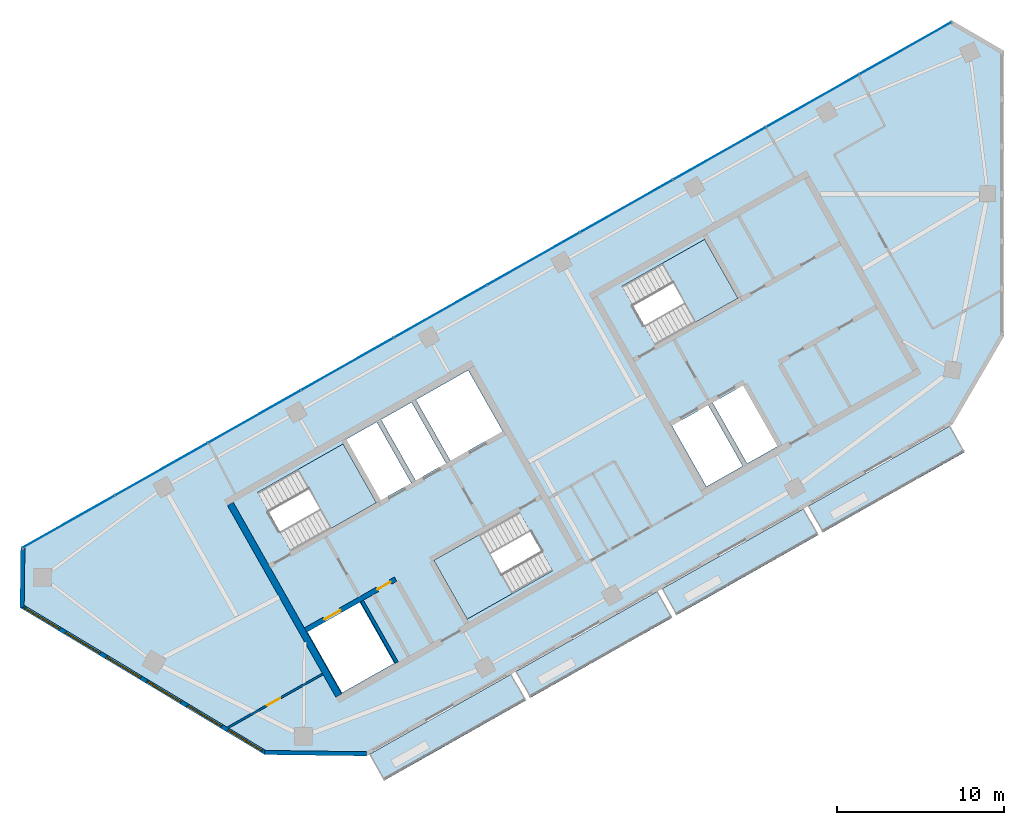
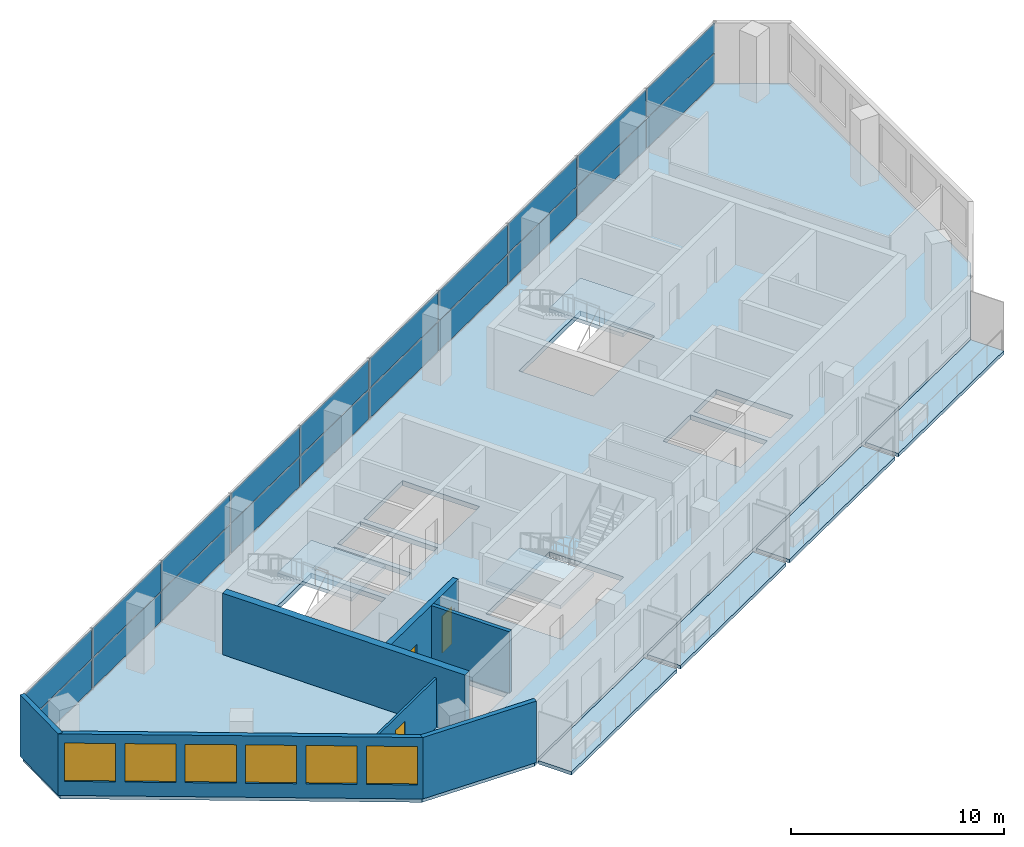
# One storey, part 5 of 10: 20 plates, 8 slabs, 7 walls, 6 windows, 3 doors, 9 openings, 4 elements without a shape of their own.
"""IFC4 building model written with IfcOpenShell, lengths in metres."""

from ifc_helpers import new_model, si_unit, direction, frame, frame_2d, origin, origin_2d, place, context, subcontext, project, spatial, polyline, rectangle, outline, extrude, material, layer, layer_set, type_object, element, fill, aggregate, save


model = new_model("IFC4")

# Units and contexts
model_context = context("Model", 3, precision=1e-05, world=origin(), true_north=direction((0.0, 1.0)))
body_context = subcontext(model_context, "Body", "Model", "MODEL_VIEW")
ifc_project = project(units=[si_unit("LENGTHUNIT", "METRE"), si_unit("AREAUNIT", "SQUARE_METRE"), si_unit("VOLUMEUNIT", "CUBIC_METRE"), si_unit("PLANEANGLEUNIT", "RADIAN"), si_unit("MASSUNIT", "GRAM", prefix="KILO")], contexts=[model_context])

# Site, building, storey
site_placement = place(None, origin())
site = spatial("IfcSite", under=ifc_project, at=site_placement, CompositionType="ELEMENT")
building_placement = place(site_placement, origin())
building = spatial("IfcBuilding", under=site, at=building_placement, Name="Binnacle Exchange Tower", CompositionType="ELEMENT")
storey_placement = place(building_placement, frame((0.0, 0.0, 320.300048828125)))
storey = spatial("IfcBuildingStorey", under=building, at=storey_placement, Name="L72", CompositionType="ELEMENT", Elevation=320.300048828125)

# Slabs
ifc_material_1 = material(Name="Concrete C35/45", Category="concrete")
ifc_layer_1 = layer(ifc_material_1, 0.199951171875)
ifc_layer_set_1 = layer_set([ifc_layer_1], Name="BALCONY SLAB 200")
slab_type_1 = type_object("IfcSlabType", Name="BALCONY SLAB 200", PredefinedType="FLOOR", material=ifc_layer_set_1)
slab_1_placement = place(storey_placement, frame((0.0, 0.0, -0.199951171875)))
element("IfcSlab", 1, at=slab_1_placement, inside=storey, type_object=slab_type_1, Name="Balcony BA-H07-00 L72", PredefinedType="FLOOR", context=body_context, shape_type="SweptSolid", body=[
    extrude(outline(polyline([(-37.90576171875, 26.410400390625), (-29.40380859375, 31.220458984375), (-28.517578125, 29.65380859375), (-37.019287109375, 24.84375), (-37.90576171875, 26.410400390625)])), origin(), (0.0, 0.0, 1.0), 0.199951171875),
])
slab_2_placement = place(storey_placement, frame((0.0, 0.0, -0.199951171875)))
element("IfcSlab", 2, at=slab_2_placement, inside=storey, type_object=slab_type_1, Name="Balcony BA-H07-01 L72", PredefinedType="FLOOR", context=body_context, shape_type="SweptSolid", body=[
    extrude(outline(polyline([(-29.142822265625, 31.3681640625), (-20.64111328125, 36.17822265625), (-19.754638671875, 34.611572265625), (-28.25634765625, 29.801513671875), (-29.142822265625, 31.3681640625)])), origin(), (0.0, 0.0, 1.0), 0.199951171875),
])
slab_3_placement = place(storey_placement, frame((0.0, 0.0, -0.199951171875)))
element("IfcSlab", 3, at=slab_3_placement, inside=storey, type_object=slab_type_1, Name="Balcony BA-H07-02 L72", PredefinedType="FLOOR", context=body_context, shape_type="SweptSolid", body=[
    extrude(outline(polyline([(-20.3798828125, 36.325927734375), (-11.878173828125, 41.135986328125), (-10.99169921875, 39.5693359375), (-19.493408203125, 34.759521484375), (-20.3798828125, 36.325927734375)])), origin(), (0.0, 0.0, 1.0), 0.199951171875),
])
slab_4_placement = place(storey_placement, frame((0.0, 0.0, -0.199951171875)))
element("IfcSlab", 4, at=slab_4_placement, inside=storey, type_object=slab_type_1, Name="Balcony BA-H07-03 L72", PredefinedType="FLOOR", context=body_context, shape_type="SweptSolid", body=[
    extrude(outline(polyline([(-11.616943359375, 41.28369140625), (-3.115234375, 46.093994140625), (-2.22900390625, 44.527099609375), (-10.730712890625, 39.717041015625), (-11.616943359375, 41.28369140625)])), origin(), (0.0, 0.0, 1.0), 0.199951171875),
])

# Curtain wall, plates
ifc_material_2 = material(Name="Bronze anodised aluminium frame", Category="aluminium")
curtain_wall_type = type_object("IfcCurtainWallType", Name="External wall - curtain wall executive floors", PredefinedType="NOTDEFINED", material=ifc_material_2)
curtain_wall_placement = place(storey_placement, origin())
curtain_wall = element("IfcCurtainWall", 5, at=curtain_wall_placement, inside=storey, type_object=curtain_wall_type, Name="External wall curtain wall CW4-H03 L72", PredefinedType="NOTDEFINED")
ifc_material_3 = material(Name="Glass", Category="glass")
ifc_layer_2 = layer(ifc_material_3, 0.031982421875)
ifc_layer_set_2 = layer_set([ifc_layer_2], Name="CW4 GLASS PANEL 32")
plate_type = type_object("IfcPlateType", Name="CW4 GLASS PANEL 32", PredefinedType="CURTAIN_PANEL", material=ifc_layer_set_2)
plate_1_placement = place(storey_placement, frame((-5.786376953125, 68.72607421875, 0.0498046875), z_axis=(0.0, 0.0, 1.0), x_axis=(-0.870355581136, -0.492423763019, 0.0)))
plate_1 = element("IfcPlate", 6, at=plate_1_placement, type_object=plate_type, Name="CW4-H03 panel 1.1", PredefinedType="CURTAIN_PANEL", context=body_context, shape_type="SweptSolid", body=[
    extrude(rectangle(XDim=6.30029296875, YDim=0.031982421875, at=origin_2d()), origin(), (0.0, 0.0, 1.0), 1.68505859375),
])
plate_2_placement = place(storey_placement, frame((-5.786376953125, 68.72607421875, 1.784912109375), z_axis=(0.0, 0.0, 1.0), x_axis=(-0.870355581136, -0.492423763019, 0.0)))
plate_2 = element("IfcPlate", 7, at=plate_2_placement, type_object=plate_type, Name="CW4-H03 panel 1.2", PredefinedType="CURTAIN_PANEL", context=body_context, shape_type="SweptSolid", body=[
    extrude(rectangle(XDim=6.30029296875, YDim=0.031982421875, at=origin_2d()), origin(), (0.0, 0.0, 1.0), 1.68505859375),
])
plate_3_placement = place(storey_placement, frame((-11.345947265625, 65.580810546875, 0.0498046875), z_axis=(0.0, 0.0, 1.0), x_axis=(-0.870355581136, -0.492423763019, 0.0)))
plate_3 = element("IfcPlate", 8, at=plate_3_placement, type_object=plate_type, Name="CW4-H03 panel 2.1", PredefinedType="CURTAIN_PANEL", context=body_context, shape_type="SweptSolid", body=[
    extrude(rectangle(XDim=6.335205078125, YDim=0.031982421875, at=origin_2d()), origin(), (0.0, 0.0, 1.0), 1.68505859375),
])
plate_4_placement = place(storey_placement, frame((-11.345947265625, 65.580810546875, 1.784912109375), z_axis=(0.0, 0.0, 1.0), x_axis=(-0.870355581136, -0.492423763019, 0.0)))
plate_4 = element("IfcPlate", 9, at=plate_4_placement, type_object=plate_type, Name="CW4-H03 panel 2.2", PredefinedType="CURTAIN_PANEL", context=body_context, shape_type="SweptSolid", body=[
    extrude(rectangle(XDim=6.335205078125, YDim=0.031982421875, at=origin_2d()), origin(), (0.0, 0.0, 1.0), 1.68505859375),
])
plate_5_placement = place(storey_placement, frame((-16.9208984375, 62.426513671875, 0.0498046875), z_axis=(0.0, 0.0, 1.0), x_axis=(-0.870355581136, -0.492423763019, 0.0)))
plate_5 = element("IfcPlate", 10, at=plate_5_placement, type_object=plate_type, Name="CW4-H03 panel 3.1", PredefinedType="CURTAIN_PANEL", context=body_context, shape_type="SweptSolid", body=[
    extrude(rectangle(XDim=6.335205078125, YDim=0.031982421875, at=origin_2d()), origin(), (0.0, 0.0, 1.0), 1.68505859375),
])
plate_6_placement = place(storey_placement, frame((-16.9208984375, 62.426513671875, 1.784912109375), z_axis=(0.0, 0.0, 1.0), x_axis=(-0.870355581136, -0.492423763019, 0.0)))
plate_6 = element("IfcPlate", 11, at=plate_6_placement, type_object=plate_type, Name="CW4-H03 panel 3.2", PredefinedType="CURTAIN_PANEL", context=body_context, shape_type="SweptSolid", body=[
    extrude(rectangle(XDim=6.335205078125, YDim=0.031982421875, at=origin_2d()), origin(), (0.0, 0.0, 1.0), 1.68505859375),
])
plate_7_placement = place(storey_placement, frame((-22.49560546875, 59.2724609375, 0.0498046875), z_axis=(0.0, 0.0, 1.0), x_axis=(-0.870355581136, -0.492423763019, 0.0)))
plate_7 = element("IfcPlate", 12, at=plate_7_placement, type_object=plate_type, Name="CW4-H03 panel 4.1", PredefinedType="CURTAIN_PANEL", context=body_context, shape_type="SweptSolid", body=[
    extrude(rectangle(XDim=6.335205078125, YDim=0.031982421875, at=origin_2d()), origin(), (0.0, 0.0, 1.0), 1.68505859375),
])
plate_8_placement = place(storey_placement, frame((-22.49560546875, 59.2724609375, 1.784912109375), z_axis=(0.0, 0.0, 1.0), x_axis=(-0.870355581136, -0.492423763019, 0.0)))
plate_8 = element("IfcPlate", 13, at=plate_8_placement, type_object=plate_type, Name="CW4-H03 panel 4.2", PredefinedType="CURTAIN_PANEL", context=body_context, shape_type="SweptSolid", body=[
    extrude(rectangle(XDim=6.335205078125, YDim=0.031982421875, at=origin_2d()), origin(), (0.0, 0.0, 1.0), 1.68505859375),
])
plate_9_placement = place(storey_placement, frame((-28.070556640625, 56.118408203125, 0.0498046875), z_axis=(0.0, 0.0, 1.0), x_axis=(-0.870355581136, -0.492423763019, 0.0)))
plate_9 = element("IfcPlate", 14, at=plate_9_placement, type_object=plate_type, Name="CW4-H03 panel 5.1", PredefinedType="CURTAIN_PANEL", context=body_context, shape_type="SweptSolid", body=[
    extrude(rectangle(XDim=6.335205078125, YDim=0.031982421875, at=origin_2d()), origin(), (0.0, 0.0, 1.0), 1.68505859375),
])
plate_10_placement = place(storey_placement, frame((-28.070556640625, 56.118408203125, 1.784912109375), z_axis=(0.0, 0.0, 1.0), x_axis=(-0.870355581136, -0.492423763019, 0.0)))
plate_10 = element("IfcPlate", 15, at=plate_10_placement, type_object=plate_type, Name="CW4-H03 panel 5.2", PredefinedType="CURTAIN_PANEL", context=body_context, shape_type="SweptSolid", body=[
    extrude(rectangle(XDim=6.335205078125, YDim=0.031982421875, at=origin_2d()), origin(), (0.0, 0.0, 1.0), 1.68505859375),
])
plate_11_placement = place(storey_placement, frame((-33.6455078125, 52.96435546875, 0.0498046875), z_axis=(0.0, 0.0, 1.0), x_axis=(-0.870355581136, -0.492423763019, 0.0)))
plate_11 = element("IfcPlate", 16, at=plate_11_placement, type_object=plate_type, Name="CW4-H03 panel 6.1", PredefinedType="CURTAIN_PANEL", context=body_context, shape_type="SweptSolid", body=[
    extrude(rectangle(XDim=6.335205078125, YDim=0.031982421875, at=origin_2d()), origin(), (0.0, 0.0, 1.0), 1.68505859375),
])
plate_12_placement = place(storey_placement, frame((-33.6455078125, 52.96435546875, 1.784912109375), z_axis=(0.0, 0.0, 1.0), x_axis=(-0.870355581136, -0.492423763019, 0.0)))
plate_12 = element("IfcPlate", 17, at=plate_12_placement, type_object=plate_type, Name="CW4-H03 panel 6.2", PredefinedType="CURTAIN_PANEL", context=body_context, shape_type="SweptSolid", body=[
    extrude(rectangle(XDim=6.335205078125, YDim=0.031982421875, at=origin_2d()), origin(), (0.0, 0.0, 1.0), 1.68505859375),
])
plate_13_placement = place(storey_placement, frame((-39.22021484375, 49.810302734375, 0.0498046875), z_axis=(0.0, 0.0, 1.0), x_axis=(-0.870355581136, -0.492423763019, 0.0)))
plate_13 = element("IfcPlate", 18, at=plate_13_placement, type_object=plate_type, Name="CW4-H03 panel 7.1", PredefinedType="CURTAIN_PANEL", context=body_context, shape_type="SweptSolid", body=[
    extrude(rectangle(XDim=6.335205078125, YDim=0.031982421875, at=origin_2d()), origin(), (0.0, 0.0, 1.0), 1.68505859375),
])
plate_14_placement = place(storey_placement, frame((-39.22021484375, 49.810302734375, 1.784912109375), z_axis=(0.0, 0.0, 1.0), x_axis=(-0.870355581136, -0.492423763019, 0.0)))
plate_14 = element("IfcPlate", 19, at=plate_14_placement, type_object=plate_type, Name="CW4-H03 panel 7.2", PredefinedType="CURTAIN_PANEL", context=body_context, shape_type="SweptSolid", body=[
    extrude(rectangle(XDim=6.335205078125, YDim=0.031982421875, at=origin_2d()), origin(), (0.0, 0.0, 1.0), 1.68505859375),
])
plate_15_placement = place(storey_placement, frame((-44.795166015625, 46.656005859375, 0.0498046875), z_axis=(0.0, 0.0, 1.0), x_axis=(-0.870355581136, -0.492423763019, 0.0)))
plate_15 = element("IfcPlate", 20, at=plate_15_placement, type_object=plate_type, Name="CW4-H03 panel 8.1", PredefinedType="CURTAIN_PANEL", context=body_context, shape_type="SweptSolid", body=[
    extrude(rectangle(XDim=6.335205078125, YDim=0.031982421875, at=origin_2d()), origin(), (0.0, 0.0, 1.0), 1.68505859375),
])
plate_16_placement = place(storey_placement, frame((-44.795166015625, 46.656005859375, 1.784912109375), z_axis=(0.0, 0.0, 1.0), x_axis=(-0.870355581136, -0.492423763019, 0.0)))
plate_16 = element("IfcPlate", 21, at=plate_16_placement, type_object=plate_type, Name="CW4-H03 panel 8.2", PredefinedType="CURTAIN_PANEL", context=body_context, shape_type="SweptSolid", body=[
    extrude(rectangle(XDim=6.335205078125, YDim=0.031982421875, at=origin_2d()), origin(), (0.0, 0.0, 1.0), 1.68505859375),
])
plate_17_placement = place(storey_placement, frame((-50.369873046875, 43.501953125, 0.0498046875), z_axis=(0.0, 0.0, 1.0), x_axis=(-0.870355581136, -0.492423763019, 0.0)))
plate_17 = element("IfcPlate", 22, at=plate_17_placement, type_object=plate_type, Name="CW4-H03 panel 9.1", PredefinedType="CURTAIN_PANEL", context=body_context, shape_type="SweptSolid", body=[
    extrude(rectangle(XDim=6.335205078125, YDim=0.031982421875, at=origin_2d()), origin(), (0.0, 0.0, 1.0), 1.68505859375),
])
plate_18_placement = place(storey_placement, frame((-50.369873046875, 43.501953125, 1.784912109375), z_axis=(0.0, 0.0, 1.0), x_axis=(-0.870355581136, -0.492423763019, 0.0)))
plate_18 = element("IfcPlate", 23, at=plate_18_placement, type_object=plate_type, Name="CW4-H03 panel 9.2", PredefinedType="CURTAIN_PANEL", context=body_context, shape_type="SweptSolid", body=[
    extrude(rectangle(XDim=6.335205078125, YDim=0.031982421875, at=origin_2d()), origin(), (0.0, 0.0, 1.0), 1.68505859375),
])
plate_19_placement = place(storey_placement, frame((-55.9296875, 40.3564453125, 0.0498046875), z_axis=(0.0, 0.0, 1.0), x_axis=(-0.870355581136, -0.492423763019, 0.0)))
plate_19 = element("IfcPlate", 24, at=plate_19_placement, type_object=plate_type, Name="CW4-H03 panel 10.1", PredefinedType="CURTAIN_PANEL", context=body_context, shape_type="SweptSolid", body=[
    extrude(rectangle(XDim=6.30029296875, YDim=0.031982421875, at=origin_2d()), origin(), (0.0, 0.0, 1.0), 1.68505859375),
])
plate_20_placement = place(storey_placement, frame((-55.9296875, 40.3564453125, 1.784912109375), z_axis=(0.0, 0.0, 1.0), x_axis=(-0.870355581136, -0.492423763019, 0.0)))
plate_20 = element("IfcPlate", 25, at=plate_20_placement, type_object=plate_type, Name="CW4-H03 panel 10.2", PredefinedType="CURTAIN_PANEL", context=body_context, shape_type="SweptSolid", body=[
    extrude(rectangle(XDim=6.30029296875, YDim=0.031982421875, at=origin_2d()), origin(), (0.0, 0.0, 1.0), 1.68505859375),
])
aggregate(curtain_wall, [plate_1, plate_2, plate_3, plate_4, plate_5, plate_6, plate_7, plate_8, plate_9, plate_10, plate_11, plate_12, plate_13, plate_14, plate_15, plate_16, plate_17, plate_18, plate_19, plate_20])

# Slab
ifc_layer_3 = layer(ifc_material_1, 0.280029296875)
ifc_layer_set_3 = layer_set([ifc_layer_3], Name="Floor slab 280 Concrete C35/45")
slab_type_2 = type_object("IfcSlabType", Name="Floor slab 280 Concrete C35/45", PredefinedType="FLOOR", material=ifc_layer_set_3)
slab_5_placement = place(storey_placement, frame((0.0, 0.0, -0.280029296875)))
element("IfcSlab", 26, at=slab_5_placement, inside=storey, type_object=slab_type_2, Name="S:SL:L72:01", PredefinedType="FLOOR", context=body_context, shape_type="SweptSolid", body=[
    extrude(outline(polyline([(-38.097900390625, 26.4453125), (-44.14404296875, 26.5244140625), (-58.716064453125, 35.280029296875), (-58.669921875, 38.80615234375), (-3.046142578125, 70.276611328125), (0.0, 68.5), (0.0, 51.5), (-3.046142578125, 46.276611328125), (-38.097900390625, 26.4453125)]), holes=[polyline([(-38.4794921875, 35.529296875), (-41.61279296875, 33.756591796875), (-39.544677734375, 30.10107421875), (-36.411376953125, 31.873779296875), (-38.4794921875, 35.529296875)]), polyline([(-32.04638671875, 34.515625), (-26.9287109375, 37.4111328125), (-28.923095703125, 40.93603515625), (-34.040771484375, 38.04052734375), (-32.04638671875, 34.515625)]), polyline([(-39.480712890625, 45.01611328125), (-44.598388671875, 42.12060546875), (-42.604248046875, 38.595703125), (-37.486572265625, 41.4912109375), (-39.480712890625, 45.01611328125)]), polyline([(-37.4658203125, 46.32861328125), (-39.293701171875, 45.29443359375), (-37.225341796875, 41.638916015625), (-35.397705078125, 42.673095703125), (-37.4658203125, 46.32861328125)]), polyline([(-17.598876953125, 47.343017578125), (-19.77490234375, 46.11181640625), (-17.70654296875, 42.456298828125), (-15.53076171875, 43.6875), (-17.598876953125, 47.343017578125)]), polyline([(-35.376953125, 47.51025390625), (-37.20458984375, 46.476318359375), (-35.136474609375, 42.82080078125), (-33.308837890625, 43.854736328125), (-35.376953125, 47.51025390625)]), polyline([(-15.510009765625, 48.52490234375), (-17.337890625, 47.49072265625), (-15.26953125, 43.835205078125), (-13.44189453125, 44.869384765625), (-15.510009765625, 48.52490234375)]), polyline([(-29.914306640625, 45.775390625), (-31.982666015625, 49.430908203125), (-35.115966796875, 47.657958984375), (-33.047607421875, 44.00244140625), (-29.914306640625, 45.775390625)]), polyline([(-15.822509765625, 53.748046875), (-17.81689453125, 57.27294921875), (-22.760498046875, 54.47607421875), (-20.76611328125, 50.950927734375), (-15.822509765625, 53.748046875)])]), origin(), (0.0, 0.0, 1.0), 0.280029296875),
])

# Stair, slab
stair_type = type_object("IfcStairType", Name="STAIR 22 RISERS 173", PredefinedType="HALF_TURN_STAIR", material=ifc_material_1)
stair_1_placement = place(storey_placement, origin())
stair_1 = element("IfcStair", 27, at=stair_1_placement, inside=storey, type_object=stair_type, Name="L72 Escape stair A1", PredefinedType="HALF_TURN_STAIR")
ifc_layer_4 = layer(ifc_material_1, 0.199951171875)
ifc_layer_set_4 = layer_set([ifc_layer_4], Name="STAIR LANDING 200")
slab_type_3 = type_object("IfcSlabType", Name="STAIR LANDING 200", PredefinedType="LANDING", material=ifc_layer_set_4)
slab_6_placement = place(storey_placement, frame((0.0, 0.0, 1.699951171875)))
slab_6 = element("IfcSlab", 28, at=slab_6_placement, type_object=slab_type_3, Name="STA1 landing 1", PredefinedType="LANDING", context=body_context, shape_type="SweptSolid", body=[
    extrude(outline(polyline([(-40.2021484375, 39.954833984375), (-37.486572265625, 41.4912109375), (-39.48095703125, 45.01611328125), (-42.1962890625, 43.479736328125), (-40.2021484375, 39.954833984375)])), origin(), (0.0, 0.0, 1.0), 0.199951171875),
])
aggregate(stair_1, [slab_6])

stair_2_placement = place(storey_placement, origin())
stair_2 = element("IfcStair", 29, at=stair_2_placement, inside=storey, type_object=stair_type, Name="L72 Escape stair A2", PredefinedType="HALF_TURN_STAIR")
slab_7_placement = place(storey_placement, frame((0.0, 0.0, 1.699951171875)))
slab_7 = element("IfcSlab", 30, at=slab_7_placement, type_object=slab_type_3, Name="STA2 landing 1", PredefinedType="LANDING", context=body_context, shape_type="SweptSolid", body=[
    extrude(outline(polyline([(-31.3251953125, 39.576904296875), (-34.040771484375, 38.04052734375), (-32.04638671875, 34.515625), (-29.330810546875, 36.052001953125), (-31.3251953125, 39.576904296875)])), origin(), (0.0, 0.0, 1.0), 0.199951171875),
])
aggregate(stair_2, [slab_7])

stair_3_placement = place(storey_placement, origin())
stair_3 = element("IfcStair", 31, at=stair_3_placement, inside=storey, type_object=stair_type, Name="L72 Escape stair C1", PredefinedType="HALF_TURN_STAIR")
slab_8_placement = place(storey_placement, frame((0.0, 0.0, 1.699951171875)))
slab_8 = element("IfcSlab", 32, at=slab_8_placement, type_object=slab_type_3, Name="STC1 landing 1", PredefinedType="LANDING", context=body_context, shape_type="SweptSolid", body=[
    extrude(outline(polyline([(-18.364013671875, 52.31005859375), (-15.822509765625, 53.748046875), (-17.81689453125, 57.27294921875), (-20.3583984375, 55.8349609375), (-18.364013671875, 52.31005859375)])), origin(), (0.0, 0.0, 1.0), 0.199951171875),
])
aggregate(stair_3, [slab_8])

# Wall, openings, doors
ifc_material_4 = material(Name="Concrete C70/85", Category="concrete")
ifc_layer_5 = layer(ifc_material_4, 0.300048828125)
ifc_layer_set_5 = layer_set([ifc_layer_5], Name="Core wall - front 300")
wall_type_1 = type_object("IfcWallType", Name="Core wall - front 300", PredefinedType="SOLIDWALL", material=ifc_layer_set_5)
wall_1_placement = place(storey_placement, frame((-41.72998046875, 33.862548828125, 0.0), z_axis=(0.0, 0.0, 1.0), x_axis=(0.870350800578, 0.492432212525, 0.0)))
wall_1 = element("IfcWall", 33, at=wall_1_placement, inside=storey, type_object=wall_type_1, Name="Core wall CRWA2", PredefinedType="SOLIDWALL", context=body_context, shape_type="SweptSolid", body=[
    extrude(rectangle(XDim=6.19970703125, YDim=0.300048828125, at=frame_2d((3.099853515625, 0.0))), origin(), (0.0, 0.0, 1.0), 3.52001953125),
])
opening_1_placement = place(wall_1_placement, frame((1.300048828125, 0.0, 0.0)))
opening_1 = element("IfcOpeningElement", 34, at=opening_1_placement, cuts=wall_1, Name="Opening LD12", PredefinedType="OPENING", context=body_context, shape_type="SweptSolid", body=[
    extrude(rectangle(XDim=1.10009765625, YDim=2.10009765625, at=frame_2d((0.550048828125, 1.050048828125))), frame((0.0, 0.159912109375, 0.0), z_axis=(0.0, -1.0, 0.0), x_axis=(1.0, 0.0, 0.0)), (0.0, 0.0, 1.0), 0.320068359375),
])
opening_2_placement = place(wall_1_placement, frame((4.949951171875, 0.0, 0.0)))
opening_2 = element("IfcOpeningElement", 35, at=opening_2_placement, cuts=wall_1, Name="Opening DA14", PredefinedType="OPENING", context=body_context, shape_type="SweptSolid", body=[
    extrude(rectangle(XDim=0.89990234375, YDim=2.10009765625, at=frame_2d((0.449951171875, 1.050048828125))), frame((0.0, 0.159912109375, 0.0), z_axis=(0.0, -1.0, 0.0), x_axis=(1.0, 0.0, 0.0)), (0.0, 0.0, 1.0), 0.320068359375),
])
ifc_material_5 = material(Name="Steel door leaf", Category="steel")
door_type_1 = type_object("IfcDoorType", Name="Fire door - lift landing 1100", OperationType="NOTDEFINED", PredefinedType="DOOR", material=ifc_material_5)
door_1_placement = place(opening_1_placement, origin())
door_1 = element("IfcDoor", 36, at=door_1_placement, inside=storey, type_object=door_type_1, Name="Landing door LD12 L72", OperationType="DOUBLE_DOOR_SLIDING", OverallHeight=2.10009765625, OverallWidth=1.10009765625, PredefinedType="DOOR", context=body_context, shape_type="SweptSolid", body=[
    extrude(rectangle(XDim=1.10009765625, YDim=2.10009765625, at=frame_2d((0.550048828125, 1.050048828125))), frame((0.0, 0.02490234375, 0.0), z_axis=(0.0, -1.0, 0.0), x_axis=(1.0, 0.0, 0.0)), (0.0, 0.0, 1.0), 0.050048828125),
])
fill(opening_1, door_1)
door_type_2 = type_object("IfcDoorType", Name="Fire door 900", OperationType="NOTDEFINED", PredefinedType="DOOR", material=ifc_material_5)
door_2_placement = place(opening_2_placement, frame((0.89990234375, 0.0, 0.0), z_axis=(0.0, 0.0, 1.0), x_axis=(-1.0, 0.0, 0.0)))
door_2 = element("IfcDoor", 37, at=door_2_placement, inside=storey, type_object=door_type_2, Name="Core room door ELECTRICAL ROOM", OperationType="SINGLE_SWING_LEFT", OverallHeight=2.10009765625, OverallWidth=0.89990234375, PredefinedType="DOOR", context=body_context, shape_type="SweptSolid", body=[
    extrude(rectangle(XDim=0.89990234375, YDim=2.10009765625, at=frame_2d((0.449951171875, 1.050048828125))), frame((0.0, 0.02490234375, 0.0), z_axis=(0.0, -1.0, 0.0), x_axis=(1.0, 0.0, 0.0)), (0.0, 0.0, 1.0), 0.050048828125),
])
fill(opening_2, door_2)

# Walls
ifc_layer_6 = layer(ifc_material_4, 0.39990234375)
ifc_layer_set_6 = layer_set([ifc_layer_6], Name="Core wall - outer 400")
wall_type_2 = type_object("IfcWallType", Name="Core wall - outer 400", PredefinedType="SOLIDWALL", material=ifc_layer_set_6)
wall_2_placement = place(storey_placement, frame((-46.237548828125, 41.423095703125, 0.0), z_axis=(0.0, 0.0, 1.0), x_axis=(0.492421663121, -0.870356769198, 0.0)))
element("IfcWall", 38, at=wall_2_placement, inside=storey, type_object=wall_type_2, Name="Core wall CRWA7", PredefinedType="SOLIDWALL", context=body_context, shape_type="SweptSolid", body=[
    extrude(rectangle(XDim=13.199951171875, YDim=0.39990234375, at=frame_2d((6.60009765625, 0.0))), origin(), (0.0, 0.0, 1.0), 3.52001953125),
])
ifc_material_6 = material(Name="Bronze aluminium cladding", Category="aluminium")
ifc_layer_7 = layer(ifc_material_6, 0.25)
ifc_layer_set_7 = layer_set([ifc_layer_7], Name="External wall - window wall 250")
wall_type_3 = type_object("IfcWallType", Name="External wall - window wall 250", PredefinedType="STANDARD", material=ifc_layer_set_7)
wall_3_placement = place(storey_placement, frame((-58.717041015625, 35.208251953125, 0.0), z_axis=(0.0, 0.0, 1.0), x_axis=(0.01310512158, 0.999914124207, 0.0)))
element("IfcWall", 39, at=wall_3_placement, inside=storey, type_object=wall_type_3, Name="External wall EW-H04 L72", PredefinedType="STANDARD", context=body_context, shape_type="SweptSolid", body=[
    extrude(rectangle(XDim=3.669921875, YDim=0.25, at=frame_2d((1.8349609375, 0.0))), origin(), (0.0, 0.0, 1.0), 3.52001953125),
])

# Wall, openings, windows
wall_4_placement = place(storey_placement, frame((-44.115234375, 26.507080078125, 0.0), z_axis=(0.0, 0.0, 1.0), x_axis=(-0.857166583633, 0.515039268311, 0.0)))
wall_4 = element("IfcWall", 40, at=wall_4_placement, inside=storey, type_object=wall_type_3, Name="External wall EW-H05 L72", PredefinedType="STANDARD", context=body_context, shape_type="SweptSolid", body=[
    extrude(rectangle(XDim=17.105712890625, YDim=0.25, at=frame_2d((8.552734375, 0.0))), origin(), (0.0, 0.0, 1.0), 3.52001953125),
])
opening_3_placement = place(wall_4_placement, frame((14.4169921875, 0.0, 0.800048828125)))
opening_3 = element("IfcOpeningElement", 41, at=opening_3_placement, cuts=wall_4, Name="Opening WR2", PredefinedType="OPENING", context=body_context, shape_type="SweptSolid", body=[
    extrude(rectangle(XDim=2.39990234375, YDim=2.199951171875, at=frame_2d((1.199951171875, 1.10009765625))), frame((0.0, 0.135009765625, 0.0), z_axis=(0.0, -1.0, 0.0), x_axis=(1.0, 0.0, 0.0)), (0.0, 0.0, 1.0), 0.27001953125),
])
opening_4_placement = place(wall_4_placement, frame((11.583740234375, 0.0, 0.800048828125)))
opening_4 = element("IfcOpeningElement", 42, at=opening_4_placement, cuts=wall_4, Name="Opening WR2", PredefinedType="OPENING", context=body_context, shape_type="SweptSolid", body=[
    extrude(rectangle(XDim=2.39990234375, YDim=2.199951171875, at=frame_2d((1.199951171875, 1.10009765625))), frame((0.0, 0.135009765625, 0.0), z_axis=(0.0, -1.0, 0.0), x_axis=(1.0, 0.0, 0.0)), (0.0, 0.0, 1.0), 0.27001953125),
])
opening_5_placement = place(wall_4_placement, frame((8.75048828125, 0.0, 0.800048828125)))
opening_5 = element("IfcOpeningElement", 43, at=opening_5_placement, cuts=wall_4, Name="Opening WR2", PredefinedType="OPENING", context=body_context, shape_type="SweptSolid", body=[
    extrude(rectangle(XDim=2.39990234375, YDim=2.199951171875, at=frame_2d((1.199951171875, 1.10009765625))), frame((0.0, 0.135009765625, 0.0), z_axis=(0.0, -1.0, 0.0), x_axis=(1.0, 0.0, 0.0)), (0.0, 0.0, 1.0), 0.27001953125),
])
opening_6_placement = place(wall_4_placement, frame((5.9169921875, 0.0, 0.800048828125)))
opening_6 = element("IfcOpeningElement", 44, at=opening_6_placement, cuts=wall_4, Name="Opening WR2", PredefinedType="OPENING", context=body_context, shape_type="SweptSolid", body=[
    extrude(rectangle(XDim=2.39990234375, YDim=2.199951171875, at=frame_2d((1.199951171875, 1.10009765625))), frame((0.0, 0.135009765625, 0.0), z_axis=(0.0, -1.0, 0.0), x_axis=(1.0, 0.0, 0.0)), (0.0, 0.0, 1.0), 0.27001953125),
])
opening_7_placement = place(wall_4_placement, frame((3.083740234375, 0.0, 0.800048828125)))
opening_7 = element("IfcOpeningElement", 45, at=opening_7_placement, cuts=wall_4, Name="Opening WR2", PredefinedType="OPENING", context=body_context, shape_type="SweptSolid", body=[
    extrude(rectangle(XDim=2.39990234375, YDim=2.199951171875, at=frame_2d((1.199951171875, 1.10009765625))), frame((0.0, 0.135009765625, 0.0), z_axis=(0.0, -1.0, 0.0), x_axis=(1.0, 0.0, 0.0)), (0.0, 0.0, 1.0), 0.27001953125),
])
opening_8_placement = place(wall_4_placement, frame((0.25048828125, 0.0, 0.800048828125)))
opening_8 = element("IfcOpeningElement", 46, at=opening_8_placement, cuts=wall_4, Name="Opening WR2", PredefinedType="OPENING", context=body_context, shape_type="SweptSolid", body=[
    extrude(rectangle(XDim=2.39990234375, YDim=2.199951171875, at=frame_2d((1.199951171875, 1.10009765625))), frame((0.0, 0.135009765625, 0.0), z_axis=(0.0, -1.0, 0.0), x_axis=(1.0, 0.0, 0.0)), (0.0, 0.0, 1.0), 0.27001953125),
])
window_type = type_object("IfcWindowType", Name="WR2 WINDOW 2400x2200", PartitioningType="SINGLE_PANEL", PredefinedType="WINDOW", material=ifc_material_2)
window_1_placement = place(opening_3_placement, origin())
window_1 = element("IfcWindow", 47, at=window_1_placement, inside=storey, type_object=window_type, Name="Window WR2 L72", OverallHeight=2.199951171875, OverallWidth=2.39990234375, PartitioningType="SINGLE_PANEL", PredefinedType="WINDOW", context=body_context, shape_type="SweptSolid", body=[
    extrude(rectangle(XDim=2.39990234375, YDim=2.199951171875, at=frame_2d((1.199951171875, 1.10009765625))), frame((0.0, 0.030029296875, 0.0), z_axis=(0.0, -1.0, 0.0), x_axis=(1.0, 0.0, 0.0)), (0.0, 0.0, 1.0), 0.06005859375),
])
fill(opening_3, window_1)
window_2_placement = place(opening_4_placement, origin())
window_2 = element("IfcWindow", 48, at=window_2_placement, inside=storey, type_object=window_type, Name="Window WR2 L72", OverallHeight=2.199951171875, OverallWidth=2.39990234375, PartitioningType="SINGLE_PANEL", PredefinedType="WINDOW", context=body_context, shape_type="SweptSolid", body=[
    extrude(rectangle(XDim=2.39990234375, YDim=2.199951171875, at=frame_2d((1.199951171875, 1.10009765625))), frame((0.0, 0.030029296875, 0.0), z_axis=(0.0, -1.0, 0.0), x_axis=(1.0, 0.0, 0.0)), (0.0, 0.0, 1.0), 0.06005859375),
])
fill(opening_4, window_2)
window_3_placement = place(opening_5_placement, origin())
window_3 = element("IfcWindow", 49, at=window_3_placement, inside=storey, type_object=window_type, Name="Window WR2 L72", OverallHeight=2.199951171875, OverallWidth=2.39990234375, PartitioningType="SINGLE_PANEL", PredefinedType="WINDOW", context=body_context, shape_type="SweptSolid", body=[
    extrude(rectangle(XDim=2.39990234375, YDim=2.199951171875, at=frame_2d((1.199951171875, 1.10009765625))), frame((0.0, 0.030029296875, 0.0), z_axis=(0.0, -1.0, 0.0), x_axis=(1.0, 0.0, 0.0)), (0.0, 0.0, 1.0), 0.06005859375),
])
fill(opening_5, window_3)
window_4_placement = place(opening_6_placement, origin())
window_4 = element("IfcWindow", 50, at=window_4_placement, inside=storey, type_object=window_type, Name="Window WR2 L72", OverallHeight=2.199951171875, OverallWidth=2.39990234375, PartitioningType="SINGLE_PANEL", PredefinedType="WINDOW", context=body_context, shape_type="SweptSolid", body=[
    extrude(rectangle(XDim=2.39990234375, YDim=2.199951171875, at=frame_2d((1.199951171875, 1.10009765625))), frame((0.0, 0.030029296875, 0.0), z_axis=(0.0, -1.0, 0.0), x_axis=(1.0, 0.0, 0.0)), (0.0, 0.0, 1.0), 0.06005859375),
])
fill(opening_6, window_4)
window_5_placement = place(opening_7_placement, origin())
window_5 = element("IfcWindow", 51, at=window_5_placement, inside=storey, type_object=window_type, Name="Window WR2 L72", OverallHeight=2.199951171875, OverallWidth=2.39990234375, PartitioningType="SINGLE_PANEL", PredefinedType="WINDOW", context=body_context, shape_type="SweptSolid", body=[
    extrude(rectangle(XDim=2.39990234375, YDim=2.199951171875, at=frame_2d((1.199951171875, 1.10009765625))), frame((0.0, 0.030029296875, 0.0), z_axis=(0.0, -1.0, 0.0), x_axis=(1.0, 0.0, 0.0)), (0.0, 0.0, 1.0), 0.06005859375),
])
fill(opening_7, window_5)
window_6_placement = place(opening_8_placement, origin())
window_6 = element("IfcWindow", 52, at=window_6_placement, inside=storey, type_object=window_type, Name="Window WR2 L72", OverallHeight=2.199951171875, OverallWidth=2.39990234375, PartitioningType="SINGLE_PANEL", PredefinedType="WINDOW", context=body_context, shape_type="SweptSolid", body=[
    extrude(rectangle(XDim=2.39990234375, YDim=2.199951171875, at=frame_2d((1.199951171875, 1.10009765625))), frame((0.0, 0.030029296875, 0.0), z_axis=(0.0, -1.0, 0.0), x_axis=(1.0, 0.0, 0.0)), (0.0, 0.0, 1.0), 0.06005859375),
])
fill(opening_8, window_6)

# Wall
wall_5_placement = place(storey_placement, frame((-38.06396484375, 26.44482421875, 0.0), z_axis=(0.0, 0.0, 1.0), x_axis=(-0.999914239143, 0.013096349097, 0.0)))
element("IfcWall", 53, at=wall_5_placement, inside=storey, type_object=wall_type_3, Name="External wall EW-H06 L72", PredefinedType="STANDARD", context=body_context, shape_type="SweptSolid", body=[
    extrude(rectangle(XDim=6.114501953125, YDim=0.25, at=frame_2d((3.05712890625, 0.0))), origin(), (0.0, 0.0, 1.0), 3.52001953125),
])

# Wall, opening, door
ifc_material_7 = material(Name="Gypsum partition")
ifc_layer_8 = layer(ifc_material_7, 0.125)
ifc_layer_set_8 = layer_set([ifc_layer_8], Name="Partition 125")
wall_type_4 = type_object("IfcWallType", Name="Partition 125", PredefinedType="PARTITIONING", material=ifc_layer_set_8)
wall_6_placement = place(storey_placement, frame((-46.381103515625, 28.014892578125, 0.0), z_axis=(0.0, 0.0, 1.0), x_axis=(0.870364232693, 0.492408471139, 0.0)))
wall_6 = element("IfcWall", 54, at=wall_6_placement, inside=storey, type_object=wall_type_4, Name="Partition W02", PredefinedType="PARTITIONING", context=body_context, shape_type="SweptSolid", body=[
    extrude(rectangle(XDim=6.52734375, YDim=0.125, at=frame_2d((3.263671875, 0.0))), origin(), (0.0, 0.0, 1.0), 2.800048828125),
])
opening_9_placement = place(wall_6_placement, frame((2.699951171875, 0.0, 0.0)))
opening_9 = element("IfcOpeningElement", 55, at=opening_9_placement, cuts=wall_6, Name="Opening DL71-01", PredefinedType="OPENING", context=body_context, shape_type="SweptSolid", body=[
    extrude(rectangle(XDim=0.89990234375, YDim=2.10009765625, at=frame_2d((0.449951171875, 1.050048828125))), frame((0.0, 0.072509765625, 0.0), z_axis=(0.0, -1.0, 0.0), x_axis=(1.0, 0.0, 0.0)), (0.0, 0.0, 1.0), 0.14501953125),
])
ifc_material_8 = material(Name="Timber door leaf", Category="wood")
door_type_3 = type_object("IfcDoorType", Name="Door 900", OperationType="NOTDEFINED", PredefinedType="DOOR", material=ifc_material_8)
door_3_placement = place(opening_9_placement, origin())
door_3 = element("IfcDoor", 56, at=door_3_placement, inside=storey, type_object=door_type_3, Name="Door DL71-01", OperationType="SINGLE_SWING_LEFT", OverallHeight=2.10009765625, OverallWidth=0.89990234375, PredefinedType="DOOR", context=body_context, shape_type="SweptSolid", body=[
    extrude(rectangle(XDim=0.89990234375, YDim=2.10009765625, at=frame_2d((0.449951171875, 1.050048828125))), frame((0.0, 0.02490234375, 0.0), z_axis=(0.0, -1.0, 0.0), x_axis=(1.0, 0.0, 0.0)), (0.0, 0.0, 1.0), 0.050048828125),
])
fill(opening_9, door_3)

# Wall
ifc_material_9 = material(Name="Masonry block wall", Category="masonry")
ifc_layer_9 = layer(ifc_material_9, 0.199951171875)
ifc_layer_set_9 = layer_set([ifc_layer_9], Name="Riser wall 200")
wall_type_5 = type_object("IfcWallType", Name="Riser wall 200", PredefinedType="SOLIDWALL", material=ifc_layer_set_9)
wall_7_placement = place(storey_placement, frame((-38.348876953125, 35.603271484375, 0.0), z_axis=(0.0, 0.0, 1.0), x_axis=(0.492397924348, -0.870370199454, 0.0)))
element("IfcWall", 57, at=wall_7_placement, inside=storey, type_object=wall_type_5, Name="Core wall CRWA8", PredefinedType="SOLIDWALL", context=body_context, shape_type="SweptSolid", body=[
    extrude(rectangle(XDim=4.250244140625, YDim=0.199951171875, at=frame_2d((2.125, 0.0))), origin(), (0.0, 0.0, 1.0), 3.52001953125),
])

save(model, "model.ifc")
